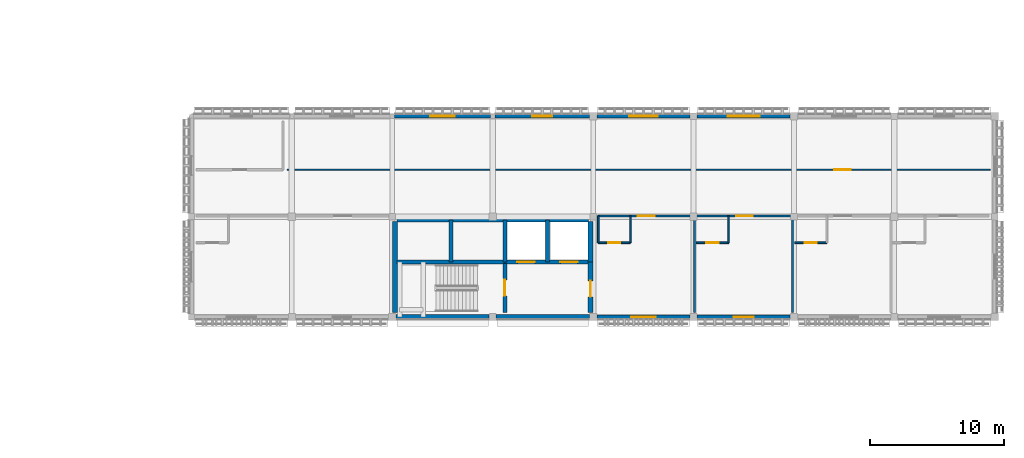
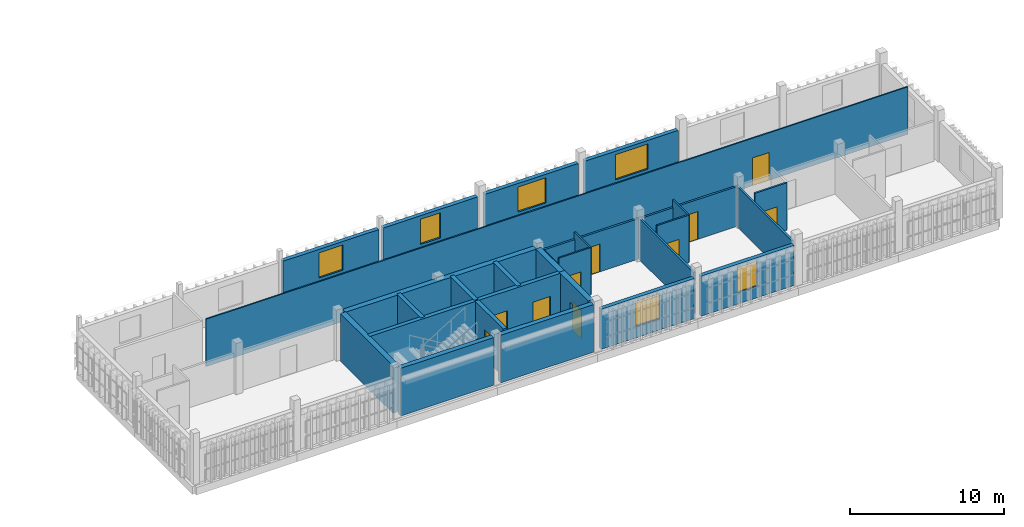
# One storey, part 26 of 48: 29 walls, 10 doors, 6 windows, 16 openings.
"""IFC4 building model written with IfcOpenShell, lengths in metres."""

from ifc_helpers import new_model, si_unit, direction, frame, frame_2d, origin, place, context, subcontext, project, spatial, rectangle, extrude, material, layer, layer_set, type_object, element, fill, save


model = new_model("IFC4")

# Units and contexts
model_context = context("Model", 3, precision=1e-05, world=origin(), true_north=direction((0.0, 1.0)))
body_context = subcontext(model_context, "Body", "Model", "MODEL_VIEW")
ifc_project = project(units=[si_unit("LENGTHUNIT", "METRE"), si_unit("AREAUNIT", "SQUARE_METRE"), si_unit("VOLUMEUNIT", "CUBIC_METRE"), si_unit("PLANEANGLEUNIT", "RADIAN"), si_unit("MASSUNIT", "GRAM", prefix="KILO")], contexts=[model_context])

# Site, building, storey
site_placement = place(None, origin())
site = spatial("IfcSite", under=ifc_project, at=site_placement, CompositionType="ELEMENT")
building_placement = place(site_placement, origin())
building = spatial("IfcBuilding", under=site, at=building_placement, Name="Dalvernix Boulevard General Hospital", CompositionType="ELEMENT")
storey_placement = place(building_placement, frame((0.0, 0.0, 17.85009765625)))
storey = spatial("IfcBuildingStorey", under=building, at=storey_placement, Name="L04", CompositionType="ELEMENT", Elevation=17.85009765625)

# Walls
ifc_material_1 = material(Name="Concrete C40/50", Category="concrete")
ifc_layer_1 = layer(ifc_material_1, 0.39990234375)
ifc_layer_set_1 = layer_set([ifc_layer_1], Name="Concrete C40/50 (WAL-CSW-01)")
wall_type_1 = type_object("IfcWallType", Name="WAL-CSW-01", PredefinedType="SHEAR", material=ifc_layer_set_1)
wall_1_placement = place(storey_placement, frame((127.85009765625, 14.800048828125, 0.0), z_axis=(0.0, 0.0, 1.0), x_axis=(1.0, 0.0, 0.0)))
element("IfcWall", 1, at=wall_1_placement, inside=storey, type_object=wall_type_1, Name="L04 C5 north shaft core wall", PredefinedType="SHEAR", context=body_context, shape_type="SweptSolid", body=[
    extrude(rectangle(XDim=14.2998046875, YDim=0.39990234375, at=frame_2d((7.14990234375, 0.0))), origin(), (0.0, 0.0, 1.0), 3.77001953125),
])
wall_2_placement = place(storey_placement, frame((127.699951171875, 7.85009765625, 0.0), z_axis=(0.0, 0.0, 1.0), x_axis=(0.0, 1.0, 0.0)))
element("IfcWall", 2, at=wall_2_placement, inside=storey, type_object=wall_type_1, Name="L04 C5 west core wall", PredefinedType="SHEAR", context=body_context, shape_type="SweptSolid", body=[
    extrude(rectangle(XDim=6.7998046875, YDim=0.39990234375, at=frame_2d((3.39990234375, 0.0))), origin(), (0.0, 0.0, 1.0), 3.77001953125),
])

# Wall, opening, door
wall_3_placement = place(storey_placement, frame((142.300048828125, 7.85009765625, 0.0), z_axis=(0.0, 0.0, 1.0), x_axis=(0.0, 1.0, 0.0)))
wall_3 = element("IfcWall", 3, at=wall_3_placement, inside=storey, type_object=wall_type_1, Name="L04 C5 east lobby core wall", PredefinedType="SHEAR", context=body_context, shape_type="SweptSolid", body=[
    extrude(rectangle(XDim=3.75, YDim=0.39990234375, at=frame_2d((1.875, 0.0))), origin(), (0.0, 0.0, 1.0), 3.77001953125),
])
opening_1_placement = place(wall_3_placement, frame((1.14990234375, 0.0, 0.0)))
opening_1 = element("IfcOpeningElement", 4, at=opening_1_placement, cuts=wall_3, Name="Opening FD-02", PredefinedType="OPENING", context=body_context, shape_type="SweptSolid", body=[
    extrude(rectangle(XDim=1.199951171875, YDim=2.25, at=frame_2d((0.60009765625, 1.125))), frame((0.0, 0.2099609375, 0.0), z_axis=(0.0, -1.0, 0.0), x_axis=(1.0, 0.0, 0.0)), (0.0, 0.0, 1.0), 0.419921875),
])
ifc_material_2 = material(Name="Hospital laminate acoustic timber and steel frame", Category="steel")
door_type_1 = type_object("IfcDoorType", Name="DR-FD-02", OperationType="NOTDEFINED", PredefinedType="DOOR", material=ifc_material_2)
door_1_placement = place(opening_1_placement, origin())
door_1 = element("IfcDoor", 5, at=door_1_placement, inside=storey, type_object=door_type_1, Name="L04 C5 east lobby fire door", OperationType="SINGLE_SWING_LEFT", OverallHeight=2.25, OverallWidth=1.199951171875, PredefinedType="DOOR", context=body_context, shape_type="SweptSolid", body=[
    extrude(rectangle(XDim=1.199951171875, YDim=2.25, at=frame_2d((0.60009765625, 1.125))), frame((0.0, 0.02490234375, 0.0), z_axis=(0.0, -1.0, 0.0), x_axis=(1.0, 0.0, 0.0)), (0.0, 0.0, 1.0), 0.050048828125),
])
fill(opening_1, door_1)

# Walls
wall_4_placement = place(storey_placement, frame((142.300048828125, 11.60009765625, 0.0), z_axis=(0.0, 0.0, 1.0), x_axis=(0.0, 1.0, 0.0)))
element("IfcWall", 6, at=wall_4_placement, inside=storey, type_object=wall_type_1, Name="L04 C5 east shaft core wall", PredefinedType="SHEAR", context=body_context, shape_type="SweptSolid", body=[
    extrude(rectangle(XDim=3.0498046875, YDim=0.39990234375, at=frame_2d((1.52490234375, 0.0))), origin(), (0.0, 0.0, 1.0), 3.77001953125),
])
ifc_layer_2 = layer(ifc_material_1, 0.300048828125)
ifc_layer_set_2 = layer_set([ifc_layer_2], Name="Concrete C40/50 (WAL-CSW-02)")
wall_type_2 = type_object("IfcWallType", Name="WAL-CSW-02", PredefinedType="SHEAR", material=ifc_layer_set_2)
wall_5_placement = place(storey_placement, frame((127.85009765625, 11.60009765625, 0.0), z_axis=(0.0, 0.0, 1.0), x_axis=(1.0, 0.0, 0.0)))
element("IfcWall", 7, at=wall_5_placement, inside=storey, type_object=wall_type_2, Name="L04 C5 riser spine wall", PredefinedType="SHEAR", context=body_context, shape_type="SweptSolid", body=[
    extrude(rectangle(XDim=8.0498046875, YDim=0.300048828125, at=frame_2d((4.02490234375, 0.0))), origin(), (0.0, 0.0, 1.0), 3.77001953125),
])

# Wall, openings, doors
wall_6_placement = place(storey_placement, frame((135.89990234375, 11.60009765625, 0.0), z_axis=(0.0, 0.0, 1.0), x_axis=(1.0, 0.0, 0.0)))
wall_6 = element("IfcWall", 8, at=wall_6_placement, inside=storey, type_object=wall_type_2, Name="L04 C5 lift shaft front wall", PredefinedType="SHEAR", context=body_context, shape_type="SweptSolid", body=[
    extrude(rectangle(XDim=6.25, YDim=0.300048828125, at=frame_2d((3.125, 0.0))), origin(), (0.0, 0.0, 1.0), 3.77001953125),
])
opening_2_placement = place(wall_6_placement, frame((0.949951171875, 0.0, 0.0)))
opening_2 = element("IfcOpeningElement", 9, at=opening_2_placement, cuts=wall_6, Name="Opening LD-LF-04-L04", PredefinedType="OPENING", context=body_context, shape_type="SweptSolid", body=[
    extrude(rectangle(XDim=1.300048828125, YDim=2.199951171875, at=frame_2d((0.64990234375, 1.10009765625))), frame((0.0, 0.159912109375, 0.0), z_axis=(0.0, -1.0, 0.0), x_axis=(1.0, 0.0, 0.0)), (0.0, 0.0, 1.0), 0.320068359375),
])
opening_3_placement = place(wall_6_placement, frame((4.14990234375, 0.0, 0.0)))
opening_3 = element("IfcOpeningElement", 10, at=opening_3_placement, cuts=wall_6, Name="Opening LD-LF-05-L04", PredefinedType="OPENING", context=body_context, shape_type="SweptSolid", body=[
    extrude(rectangle(XDim=1.300048828125, YDim=2.199951171875, at=frame_2d((0.64990234375, 1.10009765625))), frame((0.0, 0.159912109375, 0.0), z_axis=(0.0, -1.0, 0.0), x_axis=(1.0, 0.0, 0.0)), (0.0, 0.0, 1.0), 0.320068359375),
])
ifc_material_3 = material(Name="Stainless-clad steel", Category="steel")
door_type_2 = type_object("IfcDoorType", Name="DR-LD-02", OperationType="DOUBLE_DOOR_SLIDING", PredefinedType="DOOR", material=ifc_material_3)
door_2_placement = place(opening_2_placement, origin())
door_2 = element("IfcDoor", 11, at=door_2_placement, inside=storey, type_object=door_type_2, Name="L04 Lift LF-04 sliding landing door", OperationType="DOUBLE_DOOR_SLIDING", OverallHeight=2.199951171875, OverallWidth=1.300048828125, PredefinedType="DOOR", context=body_context, shape_type="SweptSolid", body=[
    extrude(rectangle(XDim=1.300048828125, YDim=2.199951171875, at=frame_2d((0.64990234375, 1.10009765625))), frame((0.0, 0.02490234375, 0.0), z_axis=(0.0, -1.0, 0.0), x_axis=(1.0, 0.0, 0.0)), (0.0, 0.0, 1.0), 0.050048828125),
])
fill(opening_2, door_2)
door_3_placement = place(opening_3_placement, origin())
door_3 = element("IfcDoor", 12, at=door_3_placement, inside=storey, type_object=door_type_2, Name="L04 Lift LF-05 sliding landing door", OperationType="DOUBLE_DOOR_SLIDING", OverallHeight=2.199951171875, OverallWidth=1.300048828125, PredefinedType="DOOR", context=body_context, shape_type="SweptSolid", body=[
    extrude(rectangle(XDim=1.300048828125, YDim=2.199951171875, at=frame_2d((0.64990234375, 1.10009765625))), frame((0.0, 0.02490234375, 0.0), z_axis=(0.0, -1.0, 0.0), x_axis=(1.0, 0.0, 0.0)), (0.0, 0.0, 1.0), 0.050048828125),
])
fill(opening_3, door_3)

# Wall, opening, door
wall_7_placement = place(storey_placement, frame((135.89990234375, 11.5, 0.0), z_axis=(0.0, 0.0, 1.0), x_axis=(0.0, -1.0, 0.0)))
wall_7 = element("IfcWall", 13, at=wall_7_placement, inside=storey, type_object=wall_type_2, Name="L04 C5 stairwell fire wall", PredefinedType="SHEAR", context=body_context, shape_type="SweptSolid", body=[
    extrude(rectangle(XDim=3.64990234375, YDim=0.300048828125, at=frame_2d((1.824951171875, 0.0))), origin(), (0.0, 0.0, 1.0), 3.77001953125),
])
opening_4_placement = place(wall_7_placement, frame((1.219970703125, 0.0, 0.0)))
opening_4 = element("IfcOpeningElement", 14, at=opening_4_placement, cuts=wall_7, Name="Opening FD-02", PredefinedType="OPENING", context=body_context, shape_type="SweptSolid", body=[
    extrude(rectangle(XDim=1.199951171875, YDim=2.25, at=frame_2d((0.60009765625, 1.125))), frame((0.0, 0.159912109375, 0.0), z_axis=(0.0, -1.0, 0.0), x_axis=(1.0, 0.0, 0.0)), (0.0, 0.0, 1.0), 0.320068359375),
])
door_4_placement = place(opening_4_placement, origin())
door_4 = element("IfcDoor", 15, at=door_4_placement, inside=storey, type_object=door_type_1, Name="L04 Stair ST-05 fire door", OperationType="SINGLE_SWING_RIGHT", OverallHeight=2.25, OverallWidth=1.199951171875, PredefinedType="DOOR", context=body_context, shape_type="SweptSolid", body=[
    extrude(rectangle(XDim=1.199951171875, YDim=2.25, at=frame_2d((0.60009765625, 1.125))), frame((0.0, 0.02490234375, 0.0), z_axis=(0.0, -1.0, 0.0), x_axis=(1.0, 0.0, 0.0)), (0.0, 0.0, 1.0), 0.050048828125),
])
fill(opening_4, door_4)

# Walls
for number, where, z_axis, x_axis, name in (
    (16, (131.89990234375, 11.60009765625, 0.0), (0.0, 0.0, 1.0), (0.0, 1.0, 0.0), "L04 C5 shaft divider R1"),
    (17, (135.89990234375, 11.60009765625, 0.0), (0.0, 0.0, 1.0), (0.0, 1.0, 0.0), "L04 C5 shaft divider R2"),
    (18, (139.10009765625, 11.60009765625, 0.0), (0.0, 0.0, 1.0), (0.0, 1.0, 0.0), "L04 C5 shaft divider L1"),
):
    element("IfcWall", number, at=place(storey_placement, frame(where, z_axis=z_axis, x_axis=x_axis)), inside=storey, type_object=wall_type_2, Name=name, PredefinedType="SHEAR", context=body_context, shape_type="SweptSolid", body=[
        extrude(rectangle(XDim=3.14990234375, YDim=0.300048828125, at=frame_2d((1.574951171875, 0.0))), origin(), (0.0, 0.0, 1.0), 3.77001953125),
    ])
ifc_layer_3 = layer(ifc_material_1, 0.35009765625)
ifc_layer_set_3 = layer_set([ifc_layer_3], Name="Concrete C40/50 (WAL-ESW-01)")
wall_type_3 = type_object("IfcWallType", Name="WAL-ESW-01", PredefinedType="SHEAR", material=ifc_layer_set_3)
for number, where, z_axis, x_axis, name in (
    (19, (134.739990234375, 7.5, 0.0), (0.0, 0.0, 1.0), (-1.0, 0.0, 0.0), "L04 core perimeter shear wall S 17-1"),
    (20, (142.215087890625, 7.5, 0.0), (0.0, 0.0, 1.0), (-1.0, 0.0, 0.0), "L04 core perimeter shear wall S 18-1"),
):
    element("IfcWall", number, at=place(storey_placement, frame(where, z_axis=z_axis, x_axis=x_axis)), inside=storey, type_object=wall_type_3, Name=name, PredefinedType="SHEAR", context=body_context, shape_type="SweptSolid", body=[
        extrude(rectangle(XDim=6.955078125, YDim=0.35009765625, at=frame_2d((3.4775390625, 0.0))), origin(), (0.0, 0.0, 1.0), 3.77001953125),
    ])

# Wall, opening, window
ifc_material_4 = material(Name="Pressed Catalan clay brick and ceramic spandrel wall C35/45", Category="masonry")
ifc_layer_4 = layer(ifc_material_4, 0.300048828125)
ifc_layer_set_4 = layer_set([ifc_layer_4], Name="Pressed Catalan clay brick and ceramic spandrel wall C35/45 (WAL-EW-02)")
wall_type_4 = type_object("IfcWallType", Name="WAL-EW-02", PredefinedType="STANDARD", material=ifc_layer_set_4)
wall_8_placement = place(storey_placement, frame((127.669921875, 22.5, 0.0), z_axis=(0.0, 0.0, 1.0), x_axis=(1.0, 0.0, 0.0)))
wall_8 = element("IfcWall", 21, at=wall_8_placement, inside=storey, type_object=wall_type_4, Name="L04 Catalan brick external wall N 17-3", PredefinedType="STANDARD", context=body_context, shape_type="SweptSolid", body=[
    extrude(rectangle(XDim=7.16015625, YDim=0.300048828125, at=frame_2d((3.580078125, 0.0))), origin(), (0.0, 0.0, 1.0), 3.169921875),
])
opening_5_placement = place(wall_8_placement, frame((2.679931640625, 0.0, 0.89990234375)))
opening_5 = element("IfcOpeningElement", 22, at=opening_5_placement, cuts=wall_8, Name="Opening WN-01", PredefinedType="OPENING", context=body_context, shape_type="SweptSolid", body=[
    extrude(rectangle(XDim=1.800048828125, YDim=1.989990234375, at=frame_2d((0.89990234375, 0.9951171875))), frame((0.0, 0.159912109375, 0.0), z_axis=(0.0, -1.0, 0.0), x_axis=(1.0, 0.0, 0.0)), (0.0, 0.0, 1.0), 0.320068359375),
])
ifc_material_5 = material(Name="Thermally broken aluminium frame with solar-control double glazing", Category="aluminium")
window_type_1 = type_object("IfcWindowType", Name="WIN-WN-01", PartitioningType="SINGLE_PANEL", PredefinedType="WINDOW", material=ifc_material_5)
window_1_placement = place(opening_5_placement, origin())
window_1 = element("IfcWindow", 23, at=window_1_placement, inside=storey, type_object=window_type_1, Name="L04 clinical window WN-01 N 17-3", OverallHeight=1.989990234375, OverallWidth=1.800048828125, PartitioningType="SINGLE_PANEL", PredefinedType="WINDOW", context=body_context, shape_type="SweptSolid", body=[
    extrude(rectangle(XDim=1.800048828125, YDim=1.989990234375, at=frame_2d((0.89990234375, 0.9951171875))), frame((0.0, 0.030029296875, 0.0), z_axis=(0.0, -1.0, 0.0), x_axis=(1.0, 0.0, 0.0)), (0.0, 0.0, 1.0), 0.06005859375),
])
fill(opening_5, window_1)

wall_9_placement = place(storey_placement, frame((135.169921875, 22.5, 0.0), z_axis=(0.0, 0.0, 1.0), x_axis=(1.0, 0.0, 0.0)))
wall_9 = element("IfcWall", 24, at=wall_9_placement, inside=storey, type_object=wall_type_4, Name="L04 Catalan brick external wall N 18-3", PredefinedType="STANDARD", context=body_context, shape_type="SweptSolid", body=[
    extrude(rectangle(XDim=7.045166015625, YDim=0.300048828125, at=frame_2d((3.5224609375, 0.0))), origin(), (0.0, 0.0, 1.0), 3.169921875),
])
opening_6_placement = place(wall_9_placement, frame((2.7724609375, 0.0, 0.89990234375)))
opening_6 = element("IfcOpeningElement", 25, at=opening_6_placement, cuts=wall_9, Name="Opening WN-02", PredefinedType="OPENING", context=body_context, shape_type="SweptSolid", body=[
    extrude(rectangle(XDim=1.5, YDim=1.989990234375, at=frame_2d((0.75, 0.9951171875))), frame((0.0, 0.159912109375, 0.0), z_axis=(0.0, -1.0, 0.0), x_axis=(1.0, 0.0, 0.0)), (0.0, 0.0, 1.0), 0.320068359375),
])
window_type_2 = type_object("IfcWindowType", Name="WIN-WN-02", PartitioningType="SINGLE_PANEL", PredefinedType="WINDOW", material=ifc_material_5)
window_2_placement = place(opening_6_placement, origin())
window_2 = element("IfcWindow", 26, at=window_2_placement, inside=storey, type_object=window_type_2, Name="L04 clinical window WN-02 N 18-3", OverallHeight=1.989990234375, OverallWidth=1.5, PartitioningType="SINGLE_PANEL", PredefinedType="WINDOW", context=body_context, shape_type="SweptSolid", body=[
    extrude(rectangle(XDim=1.5, YDim=1.989990234375, at=frame_2d((0.75, 0.9951171875))), frame((0.0, 0.030029296875, 0.0), z_axis=(0.0, -1.0, 0.0), x_axis=(1.0, 0.0, 0.0)), (0.0, 0.0, 1.0), 0.06005859375),
])
fill(opening_6, window_2)

wall_10_placement = place(storey_placement, frame((149.739990234375, 7.5, 0.0), z_axis=(0.0, 0.0, 1.0), x_axis=(-1.0, 0.0, 0.0)))
wall_10 = element("IfcWall", 27, at=wall_10_placement, inside=storey, type_object=wall_type_4, Name="L04 Catalan brick external wall S 19-1", PredefinedType="STANDARD", context=body_context, shape_type="SweptSolid", body=[
    extrude(rectangle(XDim=6.955078125, YDim=0.300048828125, at=frame_2d((3.4775390625, 0.0))), origin(), (0.0, 0.0, 1.0), 3.169921875),
])
opening_7_placement = place(wall_10_placement, frame((2.577392578125, 0.0, 0.89990234375)))
opening_7 = element("IfcOpeningElement", 28, at=opening_7_placement, cuts=wall_10, Name="Opening WN-01", PredefinedType="OPENING", context=body_context, shape_type="SweptSolid", body=[
    extrude(rectangle(XDim=1.800048828125, YDim=1.989990234375, at=frame_2d((0.89990234375, 0.9951171875))), frame((0.0, 0.159912109375, 0.0), z_axis=(0.0, -1.0, 0.0), x_axis=(1.0, 0.0, 0.0)), (0.0, 0.0, 1.0), 0.320068359375),
])
window_3_placement = place(opening_7_placement, origin())
window_3 = element("IfcWindow", 29, at=window_3_placement, inside=storey, type_object=window_type_1, Name="L04 clinical window WN-01 S 19-1", OverallHeight=1.989990234375, OverallWidth=1.800048828125, PartitioningType="SINGLE_PANEL", PredefinedType="WINDOW", context=body_context, shape_type="SweptSolid", body=[
    extrude(rectangle(XDim=1.800048828125, YDim=1.989990234375, at=frame_2d((0.89990234375, 0.9951171875))), frame((0.0, 0.030029296875, 0.0), z_axis=(0.0, -1.0, 0.0), x_axis=(1.0, 0.0, 0.0)), (0.0, 0.0, 1.0), 0.06005859375),
])
fill(opening_7, window_3)

wall_11_placement = place(storey_placement, frame((142.784912109375, 22.5, 0.0), z_axis=(0.0, 0.0, 1.0), x_axis=(1.0, 0.0, 0.0)))
wall_11 = element("IfcWall", 30, at=wall_11_placement, inside=storey, type_object=wall_type_4, Name="L04 Catalan brick external wall N 19-3", PredefinedType="STANDARD", context=body_context, shape_type="SweptSolid", body=[
    extrude(rectangle(XDim=6.955078125, YDim=0.300048828125, at=frame_2d((3.4775390625, 0.0))), origin(), (0.0, 0.0, 1.0), 3.169921875),
])
opening_8_placement = place(wall_11_placement, frame((2.427490234375, 0.0, 0.89990234375)))
opening_8 = element("IfcOpeningElement", 31, at=opening_8_placement, cuts=wall_11, Name="Opening WN-03", PredefinedType="OPENING", context=body_context, shape_type="SweptSolid", body=[
    extrude(rectangle(XDim=2.10009765625, YDim=1.989990234375, at=frame_2d((1.050048828125, 0.9951171875))), frame((0.0, 0.159912109375, 0.0), z_axis=(0.0, -1.0, 0.0), x_axis=(1.0, 0.0, 0.0)), (0.0, 0.0, 1.0), 0.320068359375),
])
window_type_3 = type_object("IfcWindowType", Name="WIN-WN-03", PartitioningType="SINGLE_PANEL", PredefinedType="WINDOW", material=ifc_material_5)
window_4_placement = place(opening_8_placement, origin())
window_4 = element("IfcWindow", 32, at=window_4_placement, inside=storey, type_object=window_type_3, Name="L04 clinical window WN-03 N 19-3", OverallHeight=1.989990234375, OverallWidth=2.10009765625, PartitioningType="SINGLE_PANEL", PredefinedType="WINDOW", context=body_context, shape_type="SweptSolid", body=[
    extrude(rectangle(XDim=2.10009765625, YDim=1.989990234375, at=frame_2d((1.050048828125, 0.9951171875))), frame((0.0, 0.030029296875, 0.0), z_axis=(0.0, -1.0, 0.0), x_axis=(1.0, 0.0, 0.0)), (0.0, 0.0, 1.0), 0.06005859375),
])
fill(opening_8, window_4)

wall_12_placement = place(storey_placement, frame((157.215087890625, 7.5, 0.0), z_axis=(0.0, 0.0, 1.0), x_axis=(-1.0, 0.0, 0.0)))
wall_12 = element("IfcWall", 33, at=wall_12_placement, inside=storey, type_object=wall_type_4, Name="L04 Catalan brick external wall S 20-1", PredefinedType="STANDARD", context=body_context, shape_type="SweptSolid", body=[
    extrude(rectangle(XDim=6.955078125, YDim=0.300048828125, at=frame_2d((3.4775390625, 0.0))), origin(), (0.0, 0.0, 1.0), 3.169921875),
])
opening_9_placement = place(wall_12_placement, frame((2.7275390625, 0.0, 0.89990234375)))
opening_9 = element("IfcOpeningElement", 34, at=opening_9_placement, cuts=wall_12, Name="Opening WN-02", PredefinedType="OPENING", context=body_context, shape_type="SweptSolid", body=[
    extrude(rectangle(XDim=1.5, YDim=1.989990234375, at=frame_2d((0.75, 0.9951171875))), frame((0.0, 0.159912109375, 0.0), z_axis=(0.0, -1.0, 0.0), x_axis=(1.0, 0.0, 0.0)), (0.0, 0.0, 1.0), 0.320068359375),
])
window_5_placement = place(opening_9_placement, origin())
window_5 = element("IfcWindow", 35, at=window_5_placement, inside=storey, type_object=window_type_2, Name="L04 clinical window WN-02 S 20-1", OverallHeight=1.989990234375, OverallWidth=1.5, PartitioningType="SINGLE_PANEL", PredefinedType="WINDOW", context=body_context, shape_type="SweptSolid", body=[
    extrude(rectangle(XDim=1.5, YDim=1.989990234375, at=frame_2d((0.75, 0.9951171875))), frame((0.0, 0.030029296875, 0.0), z_axis=(0.0, -1.0, 0.0), x_axis=(1.0, 0.0, 0.0)), (0.0, 0.0, 1.0), 0.06005859375),
])
fill(opening_9, window_5)

wall_13_placement = place(storey_placement, frame((150.260009765625, 22.5, 0.0), z_axis=(0.0, 0.0, 1.0), x_axis=(1.0, 0.0, 0.0)))
wall_13 = element("IfcWall", 36, at=wall_13_placement, inside=storey, type_object=wall_type_4, Name="L04 Catalan brick external wall N 20-3", PredefinedType="STANDARD", context=body_context, shape_type="SweptSolid", body=[
    extrude(rectangle(XDim=6.955078125, YDim=0.300048828125, at=frame_2d((3.4775390625, 0.0))), origin(), (0.0, 0.0, 1.0), 3.169921875),
])
opening_10_placement = place(wall_13_placement, frame((2.277587890625, 0.0, 0.89990234375)))
opening_10 = element("IfcOpeningElement", 37, at=opening_10_placement, cuts=wall_13, Name="Opening WN-04", PredefinedType="OPENING", context=body_context, shape_type="SweptSolid", body=[
    extrude(rectangle(XDim=2.39990234375, YDim=1.989990234375, at=frame_2d((1.199951171875, 0.9951171875))), frame((0.0, 0.159912109375, 0.0), z_axis=(0.0, -1.0, 0.0), x_axis=(1.0, 0.0, 0.0)), (0.0, 0.0, 1.0), 0.320068359375),
])
window_type_4 = type_object("IfcWindowType", Name="WIN-WN-04", PartitioningType="SINGLE_PANEL", PredefinedType="WINDOW", material=ifc_material_5)
window_6_placement = place(opening_10_placement, origin())
window_6 = element("IfcWindow", 38, at=window_6_placement, inside=storey, type_object=window_type_4, Name="L04 clinical window WN-04 N 20-3", OverallHeight=1.989990234375, OverallWidth=2.39990234375, PartitioningType="SINGLE_PANEL", PredefinedType="WINDOW", context=body_context, shape_type="SweptSolid", body=[
    extrude(rectangle(XDim=2.39990234375, YDim=1.989990234375, at=frame_2d((1.199951171875, 0.9951171875))), frame((0.0, 0.030029296875, 0.0), z_axis=(0.0, -1.0, 0.0), x_axis=(1.0, 0.0, 0.0)), (0.0, 0.0, 1.0), 0.06005859375),
])
fill(opening_10, window_6)

# Wall, opening, door
ifc_material_6 = material(Name="Acoustic double-stud gypsum inpatient partition")
ifc_layer_5 = layer(ifc_material_6, 0.14990234375)
ifc_layer_set_5 = layer_set([ifc_layer_5], Name="Acoustic double-stud gypsum inpatient partition (WAL-IW-04)")
wall_type_5 = type_object("IfcWallType", Name="WAL-IW-04", PredefinedType="PARTITIONING", material=ifc_layer_set_5)
wall_14_placement = place(storey_placement, frame((150.0576171875, 15.050048828125, 0.0), z_axis=(0.0, 0.0, 1.0), x_axis=(-1.0, 0.0, 0.0)))
wall_14 = element("IfcWall", 39, at=wall_14_placement, inside=storey, type_object=wall_type_5, Name="L04 Paediatric Inpatient Room 01 corridor wall", PredefinedType="PARTITIONING", context=body_context, shape_type="SweptSolid", body=[
    extrude(rectangle(XDim=7.177734375, YDim=0.14990234375, at=frame_2d((3.5888671875, 0.0))), origin(), (0.0, 0.0, 1.0), 3.204833984375),
])
opening_11_placement = place(wall_14_placement, frame((2.9638671875, 0.0, 0.0)))
opening_11 = element("IfcOpeningElement", 40, at=opening_11_placement, cuts=wall_14, Name="Opening ID-04", PredefinedType="OPENING", context=body_context, shape_type="SweptSolid", body=[
    extrude(rectangle(XDim=1.25, YDim=2.199951171875, at=frame_2d((0.625, 1.10009765625))), frame((0.0, 0.0849609375, 0.0), z_axis=(0.0, -1.0, 0.0), x_axis=(1.0, 0.0, 0.0)), (0.0, 0.0, 1.0), 0.169921875),
])
door_type_3 = type_object("IfcDoorType", Name="DR-ID-04", OperationType="NOTDEFINED", PredefinedType="DOOR", material=ifc_material_2)
door_5_placement = place(opening_11_placement, origin())
door_5 = element("IfcDoor", 41, at=door_5_placement, inside=storey, type_object=door_type_3, Name="L04 Paediatric Inpatient Room 01 door", OperationType="SINGLE_SWING_LEFT", OverallHeight=2.199951171875, OverallWidth=1.25, PredefinedType="DOOR", context=body_context, shape_type="SweptSolid", body=[
    extrude(rectangle(XDim=1.25, YDim=2.199951171875, at=frame_2d((0.625, 1.10009765625))), frame((0.0, 0.02490234375, 0.0), z_axis=(0.0, -1.0, 0.0), x_axis=(1.0, 0.0, 0.0)), (0.0, 0.0, 1.0), 0.050048828125),
])
fill(opening_11, door_5)

wall_15_placement = place(storey_placement, frame((157.39501953125, 15.050048828125, 0.0), z_axis=(0.0, 0.0, 1.0), x_axis=(-1.0, 0.0, 0.0)))
wall_15 = element("IfcWall", 42, at=wall_15_placement, inside=storey, type_object=wall_type_5, Name="L04 Paediatric Inpatient Room 02 corridor wall", PredefinedType="PARTITIONING", context=body_context, shape_type="SweptSolid", body=[
    extrude(rectangle(XDim=7.177490234375, YDim=0.14990234375, at=frame_2d((3.5888671875, 0.0))), origin(), (0.0, 0.0, 1.0), 3.15478515625),
])
opening_12_placement = place(wall_15_placement, frame((2.9638671875, 0.0, 0.0)))
opening_12 = element("IfcOpeningElement", 43, at=opening_12_placement, cuts=wall_15, Name="Opening ID-04", PredefinedType="OPENING", context=body_context, shape_type="SweptSolid", body=[
    extrude(rectangle(XDim=1.25, YDim=2.199951171875, at=frame_2d((0.625, 1.10009765625))), frame((0.0, 0.0849609375, 0.0), z_axis=(0.0, -1.0, 0.0), x_axis=(1.0, 0.0, 0.0)), (0.0, 0.0, 1.0), 0.169921875),
])
door_6_placement = place(opening_12_placement, origin())
door_6 = element("IfcDoor", 44, at=door_6_placement, inside=storey, type_object=door_type_3, Name="L04 Paediatric Inpatient Room 02 door", OperationType="SINGLE_SWING_LEFT", OverallHeight=2.199951171875, OverallWidth=1.25, PredefinedType="DOOR", context=body_context, shape_type="SweptSolid", body=[
    extrude(rectangle(XDim=1.25, YDim=2.199951171875, at=frame_2d((0.625, 1.10009765625))), frame((0.0, 0.02490234375, 0.0), z_axis=(0.0, -1.0, 0.0), x_axis=(1.0, 0.0, 0.0)), (0.0, 0.0, 1.0), 0.050048828125),
])
fill(opening_12, door_6)

# Walls
wall_16_placement = place(storey_placement, frame((150.0576171875, 7.85009765625, 0.0), z_axis=(0.0, 0.0, 1.0), x_axis=(0.0, 1.0, 0.0)))
element("IfcWall", 45, at=wall_16_placement, inside=storey, type_object=wall_type_5, Name="L04 Paediatric Inpatient Room 01 partition", PredefinedType="PARTITIONING", context=body_context, shape_type="SweptSolid", body=[
    extrude(rectangle(XDim=7.199951171875, YDim=0.14990234375, at=frame_2d((3.60009765625, 0.0))), origin(), (0.0, 0.0, 1.0), 3.2548828125),
])
wall_17_placement = place(storey_placement, frame((157.39501953125, 7.85009765625, 0.0), z_axis=(0.0, 0.0, 1.0), x_axis=(0.0, 1.0, 0.0)))
element("IfcWall", 46, at=wall_17_placement, inside=storey, type_object=wall_type_5, Name="L04 Paediatric Inpatient Room 02 partition", PredefinedType="PARTITIONING", context=body_context, shape_type="SweptSolid", body=[
    extrude(rectangle(XDim=7.199951171875, YDim=0.14990234375, at=frame_2d((3.60009765625, 0.0))), origin(), (0.0, 0.0, 1.0), 3.204833984375),
])

# Wall, opening, door
ifc_material_7 = material(Name="Moisture-resistant en-suite bathroom partition")
ifc_layer_6 = layer(ifc_material_7, 0.1201171875)
ifc_layer_set_6 = layer_set([ifc_layer_6], Name="Moisture-resistant en-suite bathroom partition (WAL-IW-05)")
wall_type_6 = type_object("IfcWallType", Name="WAL-IW-05", PredefinedType="PARTITIONING", material=ifc_layer_set_6)
wall_18_placement = place(storey_placement, frame((142.8798828125, 13.050048828125, 0.0), z_axis=(0.0, 0.0, 1.0), x_axis=(1.0, 0.0, 0.0)))
wall_18 = element("IfcWall", 47, at=wall_18_placement, inside=storey, type_object=wall_type_6, Name="L04 en-suite bathroom door wall", PredefinedType="PARTITIONING", context=body_context, shape_type="SweptSolid", body=[
    extrude(rectangle(XDim=2.400146484375, YDim=0.1201171875, at=frame_2d((1.2001953125, 0.0))), origin(), (0.0, 0.0, 1.0), 3.7548828125),
])
opening_13_placement = place(wall_18_placement, frame((0.75, 0.0, 0.0)))
opening_13 = element("IfcOpeningElement", 48, at=opening_13_placement, cuts=wall_18, Name="Opening ID-05", PredefinedType="OPENING", context=body_context, shape_type="SweptSolid", body=[
    extrude(rectangle(XDim=0.89990234375, YDim=2.10009765625, at=frame_2d((0.449951171875, 1.050048828125))), frame((0.0, 0.070068359375, 0.0), z_axis=(0.0, -1.0, 0.0), x_axis=(1.0, 0.0, 0.0)), (0.0, 0.0, 1.0), 0.14013671875),
])
door_type_4 = type_object("IfcDoorType", Name="DR-ID-05", OperationType="NOTDEFINED", PredefinedType="DOOR", material=ifc_material_2)
door_7_placement = place(opening_13_placement, origin())
door_7 = element("IfcDoor", 49, at=door_7_placement, inside=storey, type_object=door_type_4, Name="L04 L04-V5-E1 en-suite bathroom door", OperationType="SINGLE_SWING_RIGHT", OverallHeight=2.10009765625, OverallWidth=0.89990234375, PredefinedType="DOOR", context=body_context, shape_type="SweptSolid", body=[
    extrude(rectangle(XDim=0.89990234375, YDim=2.10009765625, at=frame_2d((0.449951171875, 1.050048828125))), frame((0.0, 0.02490234375, 0.0), z_axis=(0.0, -1.0, 0.0), x_axis=(1.0, 0.0, 0.0)), (0.0, 0.0, 1.0), 0.050048828125),
])
fill(opening_13, door_7)

# Wall
wall_19_placement = place(storey_placement, frame((145.280029296875, 13.050048828125, 0.0), z_axis=(0.0, 0.0, 1.0), x_axis=(0.0, 1.0, 0.0)))
element("IfcWall", 50, at=wall_19_placement, inside=storey, type_object=wall_type_6, Name="L04 en-suite bathroom side wall", PredefinedType="PARTITIONING", context=body_context, shape_type="SweptSolid", body=[
    extrude(rectangle(XDim=2.0, YDim=0.1201171875, at=frame_2d((1.0, 0.0))), origin(), (0.0, 0.0, 1.0), 3.7548828125),
])

# Wall, opening, door
wall_20_placement = place(storey_placement, frame((150.217529296875, 13.050048828125, 0.0), z_axis=(0.0, 0.0, 1.0), x_axis=(1.0, 0.0, 0.0)))
wall_20 = element("IfcWall", 51, at=wall_20_placement, inside=storey, type_object=wall_type_6, Name="L04 en-suite bathroom door wall", PredefinedType="PARTITIONING", context=body_context, shape_type="SweptSolid", body=[
    extrude(rectangle(XDim=2.39990234375, YDim=0.1201171875, at=frame_2d((1.199951171875, 0.0))), origin(), (0.0, 0.0, 1.0), 3.7548828125),
])
opening_14_placement = place(wall_20_placement, frame((0.75, 0.0, 0.0)))
opening_14 = element("IfcOpeningElement", 52, at=opening_14_placement, cuts=wall_20, Name="Opening ID-05", PredefinedType="OPENING", context=body_context, shape_type="SweptSolid", body=[
    extrude(rectangle(XDim=0.89990234375, YDim=2.10009765625, at=frame_2d((0.449951171875, 1.050048828125))), frame((0.0, 0.070068359375, 0.0), z_axis=(0.0, -1.0, 0.0), x_axis=(1.0, 0.0, 0.0)), (0.0, 0.0, 1.0), 0.14013671875),
])
door_8_placement = place(opening_14_placement, origin())
door_8 = element("IfcDoor", 53, at=door_8_placement, inside=storey, type_object=door_type_4, Name="L04 L04-V5-E2 en-suite bathroom door", OperationType="SINGLE_SWING_RIGHT", OverallHeight=2.10009765625, OverallWidth=0.89990234375, PredefinedType="DOOR", context=body_context, shape_type="SweptSolid", body=[
    extrude(rectangle(XDim=0.89990234375, YDim=2.10009765625, at=frame_2d((0.449951171875, 1.050048828125))), frame((0.0, 0.02490234375, 0.0), z_axis=(0.0, -1.0, 0.0), x_axis=(1.0, 0.0, 0.0)), (0.0, 0.0, 1.0), 0.050048828125),
])
fill(opening_14, door_8)

# Wall
wall_21_placement = place(storey_placement, frame((152.617431640625, 13.050048828125, 0.0), z_axis=(0.0, 0.0, 1.0), x_axis=(0.0, 1.0, 0.0)))
element("IfcWall", 54, at=wall_21_placement, inside=storey, type_object=wall_type_6, Name="L04 en-suite bathroom side wall", PredefinedType="PARTITIONING", context=body_context, shape_type="SweptSolid", body=[
    extrude(rectangle(XDim=2.0, YDim=0.1201171875, at=frame_2d((1.0, 0.0))), origin(), (0.0, 0.0, 1.0), 3.7548828125),
])

# Wall, opening, door
wall_22_placement = place(storey_placement, frame((157.554931640625, 13.050048828125, 0.0), z_axis=(0.0, 0.0, 1.0), x_axis=(1.0, 0.0, 0.0)))
wall_22 = element("IfcWall", 55, at=wall_22_placement, inside=storey, type_object=wall_type_6, Name="L04 en-suite bathroom door wall", PredefinedType="PARTITIONING", context=body_context, shape_type="SweptSolid", body=[
    extrude(rectangle(XDim=2.400146484375, YDim=0.1201171875, at=frame_2d((1.2001953125, 0.0))), origin(), (0.0, 0.0, 1.0), 3.7548828125),
])
opening_15_placement = place(wall_22_placement, frame((0.75, 0.0, 0.0)))
opening_15 = element("IfcOpeningElement", 56, at=opening_15_placement, cuts=wall_22, Name="Opening ID-05", PredefinedType="OPENING", context=body_context, shape_type="SweptSolid", body=[
    extrude(rectangle(XDim=0.89990234375, YDim=2.10009765625, at=frame_2d((0.449951171875, 1.050048828125))), frame((0.0, 0.070068359375, 0.0), z_axis=(0.0, -1.0, 0.0), x_axis=(1.0, 0.0, 0.0)), (0.0, 0.0, 1.0), 0.14013671875),
])
door_9_placement = place(opening_15_placement, origin())
door_9 = element("IfcDoor", 57, at=door_9_placement, inside=storey, type_object=door_type_4, Name="L04 L04-V5-E3 en-suite bathroom door", OperationType="SINGLE_SWING_RIGHT", OverallHeight=2.10009765625, OverallWidth=0.89990234375, PredefinedType="DOOR", context=body_context, shape_type="SweptSolid", body=[
    extrude(rectangle(XDim=0.89990234375, YDim=2.10009765625, at=frame_2d((0.449951171875, 1.050048828125))), frame((0.0, 0.02490234375, 0.0), z_axis=(0.0, -1.0, 0.0), x_axis=(1.0, 0.0, 0.0)), (0.0, 0.0, 1.0), 0.050048828125),
])
fill(opening_15, door_9)

# Wall
wall_23_placement = place(storey_placement, frame((142.8798828125, 13.050048828125, 0.0), z_axis=(0.0, 0.0, 1.0), x_axis=(0.0, 1.0, 0.0)))
element("IfcWall", 58, at=wall_23_placement, inside=storey, type_object=wall_type_6, Name="L04 En-suite Bathroom V5-E1 enclosure wall W", PredefinedType="PARTITIONING", context=body_context, shape_type="SweptSolid", body=[
    extrude(rectangle(XDim=2.0, YDim=0.1201171875, at=frame_2d((1.0, 0.0))), origin(), (0.0, 0.0, 1.0), 3.204833984375),
])

# Wall, opening, door
ifc_material_8 = material(Name="Fire-resisting clinical sub-partition")
ifc_layer_7 = layer(ifc_material_8, 0.10009765625)
ifc_layer_set_7 = layer_set([ifc_layer_7], Name="Fire-resisting clinical sub-partition (WAL-IW-06)")
wall_type_7 = type_object("IfcWallType", Name="WAL-IW-06", PredefinedType="PARTITIONING", material=ifc_layer_set_7)
wall_24_placement = place(storey_placement, frame((119.64990234375, 18.5, 0.0), z_axis=(0.0, 0.0, 1.0), x_axis=(1.0, 0.0, 0.0)))
wall_24 = element("IfcWall", 59, at=wall_24_placement, inside=storey, type_object=wall_type_7, Name="L04 Maternity and Oncology Nurse Station L04 corridor wall", PredefinedType="PARTITIONING", context=body_context, shape_type="SweptSolid", body=[
    extrude(rectangle(XDim=52.5, YDim=0.10009765625, at=frame_2d((26.25, 0.0))), origin(), (0.0, 0.0, 1.0), 3.7548828125),
])
opening_16_placement = place(wall_24_placement, frame((40.85009765625, 0.0, 0.0)))
opening_16 = element("IfcOpeningElement", 60, at=opening_16_placement, cuts=wall_24, Name="Opening ID-04", PredefinedType="OPENING", context=body_context, shape_type="SweptSolid", body=[
    extrude(rectangle(XDim=1.25, YDim=2.199951171875, at=frame_2d((0.625, 1.10009765625))), frame((0.0, 0.06005859375, 0.0), z_axis=(0.0, -1.0, 0.0), x_axis=(1.0, 0.0, 0.0)), (0.0, 0.0, 1.0), 0.1201171875),
])
door_10_placement = place(opening_16_placement, origin())
door_10 = element("IfcDoor", 61, at=door_10_placement, inside=storey, type_object=door_type_3, Name="L04 Maternity and Oncology Nurse Station L04 door", OperationType="SINGLE_SWING_RIGHT", OverallHeight=2.199951171875, OverallWidth=1.25, PredefinedType="DOOR", context=body_context, shape_type="SweptSolid", body=[
    extrude(rectangle(XDim=1.25, YDim=2.199951171875, at=frame_2d((0.625, 1.10009765625))), frame((0.0, 0.02490234375, 0.0), z_axis=(0.0, -1.0, 0.0), x_axis=(1.0, 0.0, 0.0)), (0.0, 0.0, 1.0), 0.050048828125),
])
fill(opening_16, door_10)

save(model, "model.ifc")
